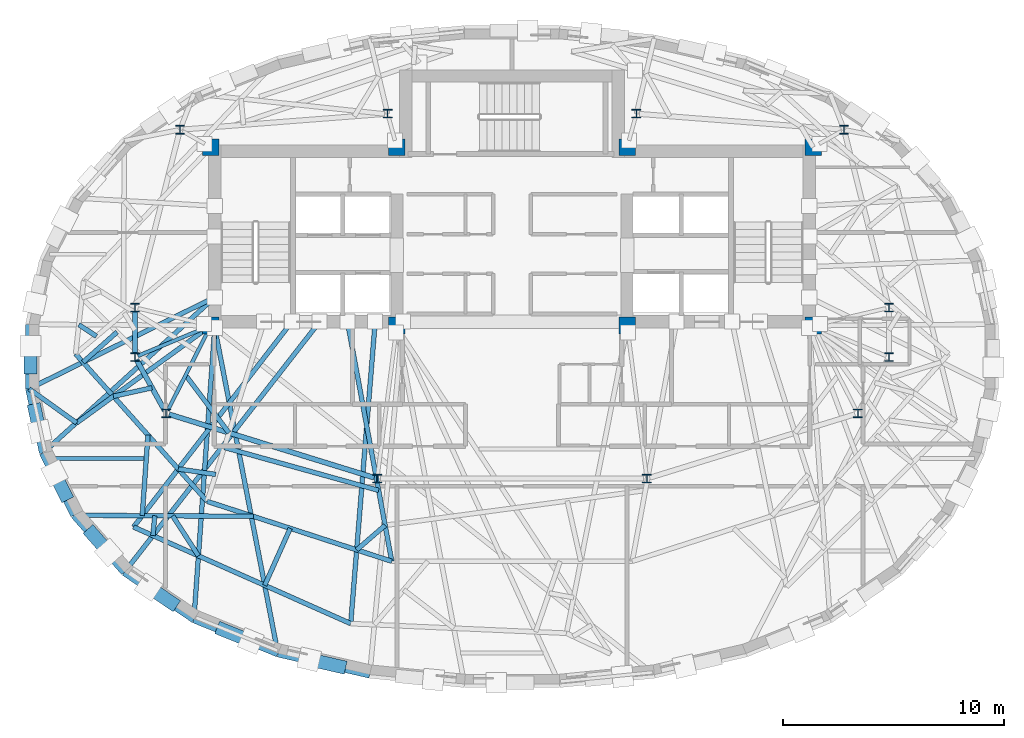
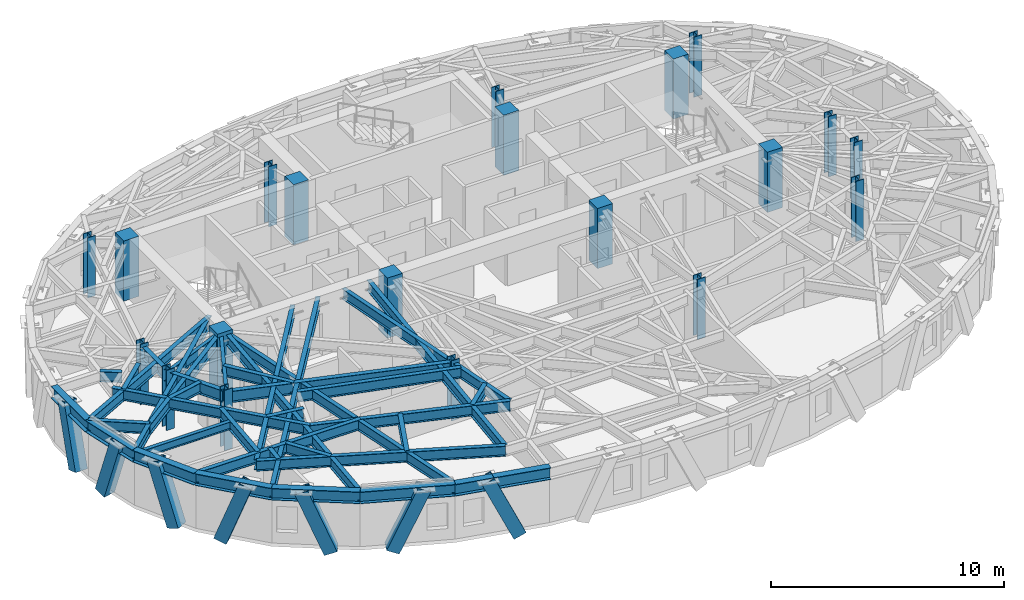
# One storey, part 1 of 12: 38 beams, 20 columns, 7 members.
"""IFC4 building model written with IfcOpenShell, lengths in metres."""

from ifc_helpers import new_model, si_unit, direction, frame, origin, origin_2d, place, context, subcontext, project, spatial, rectangle, hollow_rectangle, i_section, extrude, material, material_profile, profile_set, type_object, element, save


model = new_model("IFC4")

# Units and contexts
model_context = context("Model", 3, precision=1e-05, world=origin(), true_north=direction((0.0, 1.0)))
body_context = subcontext(model_context, "Body", "Model", "MODEL_VIEW")
ifc_project = project(units=[si_unit("LENGTHUNIT", "METRE"), si_unit("AREAUNIT", "SQUARE_METRE"), si_unit("VOLUMEUNIT", "CUBIC_METRE"), si_unit("PLANEANGLEUNIT", "RADIAN"), si_unit("MASSUNIT", "GRAM", prefix="KILO")], contexts=[model_context])

# Site, building, storey
site_placement = place(None, origin())
site = spatial("IfcSite", under=ifc_project, at=site_placement, CompositionType="ELEMENT")
building_placement = place(site_placement, origin())
building = spatial("IfcBuilding", under=site, at=building_placement, Name="Keldmark Tower", CompositionType="ELEMENT")
storey_placement = place(building_placement, frame((0.0, 0.0, 238.35009765625)))
storey = spatial("IfcBuildingStorey", under=building, at=storey_placement, Name="L67", CompositionType="ELEMENT", Elevation=238.35009765625)

# Columns
ifc_material_1 = material(Name="Concrete C50/60", Category="concrete")
ifc_material_profile_1 = material_profile(ifc_material_1, rectangle(XDim=0.75, YDim=0.75, at=origin_2d()), Name="RC750X750")
ifc_profile_set_1 = profile_set([ifc_material_profile_1], Name="Concrete C50/60")
column_type_1 = type_object("IfcColumnType", Name="Core Boundary Column RC750", PredefinedType="PILASTER", material=ifc_profile_set_1)
for number, where, z_axis, x_axis, name in (
    (1, (-13.60009765625, 1.39990234375, 0.0), (0.0, 0.0, 1.0), (1.0, 0.0, 0.0), "L67 Core Boundary Column CC-W1"),
    (2, (-13.60009765625, 9.449951171875, 0.0), (0.0, 0.0, 1.0), (1.0, 0.0, 0.0), "L67 Core Boundary Column CC-W2"),
    (3, (-5.199951171875, 1.39990234375, 0.0), (0.0, 0.0, 1.0), (1.0, 0.0, 0.0), "L67 Core Boundary Column CC-W3"),
    (4, (-5.199951171875, 9.449951171875, 0.0), (0.0, 0.0, 1.0), (1.0, 0.0, 0.0), "L67 Core Boundary Column CC-W4"),
    (5, (5.199951171875, 1.39990234375, 0.0), (0.0, 0.0, 1.0), (1.0, 0.0, 0.0), "L67 Core Boundary Column CC-E1"),
    (6, (5.199951171875, 9.449951171875, 0.0), (0.0, 0.0, 1.0), (1.0, 0.0, 0.0), "L67 Core Boundary Column CC-E2"),
    (7, (13.60009765625, 1.39990234375, 0.0), (0.0, 0.0, 1.0), (1.0, 0.0, 0.0), "L67 Core Boundary Column CC-E3"),
    (8, (13.60009765625, 9.449951171875, 0.0), (0.0, 0.0, 1.0), (1.0, 0.0, 0.0), "L67 Core Boundary Column CC-E4"),
):
    element("IfcColumn", number, at=place(storey_placement, frame(where, z_axis=z_axis, x_axis=x_axis)), inside=storey, type_object=column_type_1, Name=name, PredefinedType="PILASTER", context=body_context, shape_type="SweptSolid", body=[
        extrude(rectangle(XDim=0.75, YDim=0.75, at=origin_2d()), origin(), (0.0, 0.0, 1.0), 3.14990234375),
    ])
ifc_material_2 = material(Name="Steel ASTM A992 Grade 50", Category="steel")
ifc_material_profile_2 = material_profile(ifc_material_2, i_section(OverallWidth=0.39892578125, OverallDepth=0.386962890625, WebThickness=0.02099609375, FlangeThickness=0.033203125, at=origin_2d()), Name="W14X176")
ifc_profile_set_2 = profile_set([ifc_material_profile_2], Name="Steel ASTM A992 Grade 50")
column_type_2 = type_object("IfcColumnType", Name="Tower Gravity Column W14X176", PredefinedType="COLUMN", material=ifc_profile_set_2)
for number, where, z_axis, x_axis, name in (
    (9, (17.025634765625, 2.2080078125, 0.0), (0.0, 0.0, 1.0), (1.0, 0.0, 0.0), "L67 Tower Gravity Column TC-E1"),
    (10, (14.995849609375, 10.24365234375, 0.0), (0.0, 0.0, 1.0), (1.0, 0.0, 0.0), "L67 Tower Gravity Column TC-E4"),
    (11, (5.61865234375, 10.967041015625, 0.0), (0.0, 0.0, 1.0), (1.0, 0.0, 0.0), "L67 Tower Gravity Column TC-N2"),
    (12, (-5.61865234375, 10.967041015625, 0.0), (0.0, 0.0, 1.0), (1.0, 0.0, 0.0), "L67 Tower Gravity Column TC-N1"),
    (13, (-14.995849609375, 10.24365234375, 0.0), (0.0, 0.0, 1.0), (1.0, 0.0, 0.0), "L67 Tower Gravity Column TC-W4"),
    (14, (-17.025634765625, 2.2080078125, 0.0), (0.0, 0.0, 1.0), (1.0, 0.0, 0.0), "L67 Tower Gravity Column TC-W1"),
    (15, (-17.025634765625, -0.02392578125, 0.0), (0.0, 0.0, 1.0), (1.0, 0.0, 0.0), "L67 Tower Gravity Column TC-W5"),
    (16, (-15.6162109375, -2.5673828125, 0.0), (0.0, 0.0, 1.0), (1.0, 0.0, 0.0), "L67 Tower Gravity Column TC-W2"),
    (17, (-6.089599609375, -5.512939453125, 0.0), (0.0, 0.0, 1.0), (1.0, 0.0, 0.0), "L67 Tower Gravity Column TC-W3"),
    (18, (6.089599609375, -5.512939453125, 0.0), (0.0, 0.0, 1.0), (1.0, 0.0, 0.0), "L67 Tower Gravity Column TC-E3"),
    (19, (15.6162109375, -2.5673828125, 0.0), (0.0, 0.0, 1.0), (1.0, 0.0, 0.0), "L67 Tower Gravity Column TC-E2"),
    (20, (17.025634765625, -0.02392578125, 0.0), (0.0, 0.0, 1.0), (1.0, 0.0, 0.0), "L67 Tower Gravity Column TC-E5"),
):
    element("IfcColumn", number, at=place(storey_placement, frame(where, z_axis=z_axis, x_axis=x_axis)), inside=storey, type_object=column_type_2, Name=name, PredefinedType="COLUMN", context=body_context, shape_type="SweptSolid", body=[
        extrude(i_section(OverallWidth=0.39892578125, OverallDepth=0.386962890625, WebThickness=0.02099609375, FlangeThickness=0.033203125, at=origin_2d()), origin(), (0.0, 0.0, 1.0), 3.14990234375),
    ])

# Beam
ifc_material_3 = material(Name="Steel ASTM A992 Grade 50", Category="steel")
ifc_material_profile_3 = material_profile(ifc_material_3, i_section(OverallWidth=0.177978515625, OverallDepth=0.403076171875, WebThickness=0.007568359375, FlangeThickness=0.010986328125, at=origin_2d()), Name="W16X36")
ifc_profile_set_3 = profile_set([ifc_material_profile_3], Name="Steel ASTM A992 Grade 50")
beam_type_1 = type_object("IfcBeamType", Name="Composite Floor Joist W16X36", PredefinedType="JOIST", material=ifc_profile_set_3)
beam_1_placement = place(storey_placement, frame((-20.889404296875, -4.60009765625, 2.768310546875), z_axis=(1.0, 0.0, 0.0), x_axis=(0.0, 1.0, 0.0)))
element("IfcBeam", 21, at=beam_1_placement, inside=storey, type_object=beam_type_1, Name="L67 Composite Floor Joist J03", PredefinedType="JOIST", context=body_context, shape_type="SweptSolid", body=[
    extrude(i_section(OverallWidth=0.177978515625, OverallDepth=0.403076171875, WebThickness=0.007568359375, FlangeThickness=0.010986328125, at=origin_2d()), origin(), (0.0, 0.0, 1.0), 4.277099609375),
])

# Members
ifc_material_4 = material(Name="Steel ASTM A572 Grade 50", Category="steel")
ifc_material_profile_4 = material_profile(ifc_material_4, hollow_rectangle(XDim=0.60009765625, YDim=0.60009765625, WallThickness=0.034912109375, at=origin_2d()), Name="BOX600X600X35")
ifc_profile_set_4 = profile_set([ifc_material_profile_4], Name="Steel ASTM A572 Grade 50")
member_type = type_object("IfcMemberType", Name="Diagrid Zone 4 Brace BOX600X600X35", PredefinedType="BRACE", material=ifc_profile_set_4)
member_1_placement = place(storey_placement, frame((-21.74951171875, -0.491455078125, -0.260009765625), z_axis=(0.0, 0.298027501799, 0.954557283861), x_axis=(-1.0, 0.0, 0.0)))
element("IfcMember", 22, at=member_1_placement, inside=storey, type_object=member_type, Name="L67 Perimeter Diagrid Brace 08B", PredefinedType="BRACE", context=body_context, shape_type="SweptSolid", body=[
    extrude(hollow_rectangle(XDim=0.60009765625, YDim=0.60009765625, WallThickness=0.034912109375, at=origin_2d()), origin(), (0.0, 0.0, 1.0), 3.2578125),
])
member_2_placement = place(storey_placement, frame((-21.541259765625, -2.417724609375, -0.260009765625), z_axis=(0.063814390527, -0.296329192117, 0.952951590303), x_axis=(0.977588814613, 0.210523418042, 0.0)))
element("IfcMember", 23, at=member_2_placement, inside=storey, type_object=member_type, Name="L67 Perimeter Diagrid Brace 09A", PredefinedType="BRACE", context=body_context, shape_type="SweptSolid", body=[
    extrude(hollow_rectangle(XDim=0.60009765625, YDim=0.60009765625, WallThickness=0.034912109375, at=origin_2d()), origin(), (0.0, 0.0, 1.0), 3.263427734375),
])
member_3_placement = place(storey_placement, frame((-20.187255859375, -6.21337890625, -0.260009765625), z_axis=(-0.143211897869, 0.285382254663, 0.947653587041), x_axis=(-0.89377384963, -0.448517898993, 0.0)))
element("IfcMember", 24, at=member_3_placement, inside=storey, type_object=member_type, Name="L67 Perimeter Diagrid Brace 09B", PredefinedType="BRACE", context=body_context, shape_type="SweptSolid", body=[
    extrude(hollow_rectangle(XDim=0.60009765625, YDim=0.60009765625, WallThickness=0.034912109375, at=origin_2d()), origin(), (0.0, 0.0, 1.0), 3.28173828125),
])
member_4_placement = place(storey_placement, frame((-18.965087890625, -7.9970703125, -0.260009765625), z_axis=(0.228331892863, -0.258908767835, 0.938525863597), x_axis=(0.750006003606, 0.661431020255, 0.0)))
element("IfcMember", 25, at=member_4_placement, inside=storey, type_object=member_type, Name="L67 Perimeter Diagrid Brace 10A", PredefinedType="BRACE", context=body_context, shape_type="SweptSolid", body=[
    extrude(hollow_rectangle(XDim=0.60009765625, YDim=0.60009765625, WallThickness=0.034912109375, at=origin_2d()), origin(), (0.0, 0.0, 1.0), 3.3134765625),
])
member_5_placement = place(storey_placement, frame((-15.36572265625, -11.122314453125, -0.260009765625), z_axis=(-0.311701856625, 0.211340549545, 0.926378499694), x_axis=(-0.56118969734, -0.827687213626, 0.0)))
element("IfcMember", 26, at=member_5_placement, inside=storey, type_object=member_type, Name="L67 Perimeter Diagrid Brace 10B", PredefinedType="BRACE", context=body_context, shape_type="SweptSolid", body=[
    extrude(hollow_rectangle(XDim=0.60009765625, YDim=0.60009765625, WallThickness=0.034912109375, at=origin_2d()), origin(), (0.0, 0.0, 1.0), 3.35693359375),
])
member_6_placement = place(storey_placement, frame((-13.0625, -12.336669921875, -0.260009765625), z_axis=(0.37256512378, -0.151024372962, 0.915634680052), x_axis=(0.37567190483, 0.926752728575, 0.0)))
element("IfcMember", 27, at=member_6_placement, inside=storey, type_object=member_type, Name="L67 Perimeter Diagrid Brace 11A", PredefinedType="BRACE", context=body_context, shape_type="SweptSolid", body=[
    extrude(hollow_rectangle(XDim=0.60009765625, YDim=0.60009765625, WallThickness=0.034912109375, at=origin_2d()), origin(), (0.0, 0.0, 1.0), 3.396484375),
])
member_7_placement = place(storey_placement, frame((-7.779052734375, -13.993408203125, -0.260009765625), z_axis=(-0.404171074837, 0.093220794037, 0.909920670072), x_axis=(-0.224746304795, -0.974417312285, 0.0)))
element("IfcMember", 28, at=member_7_placement, inside=storey, type_object=member_type, Name="L67 Perimeter Diagrid Brace 11B", PredefinedType="BRACE", context=body_context, shape_type="SweptSolid", body=[
    extrude(hollow_rectangle(XDim=0.60009765625, YDim=0.60009765625, WallThickness=0.034912109375, at=origin_2d()), origin(), (0.0, 0.0, 1.0), 3.417724609375),
])

# Beams
ifc_material_5 = material(Name="Steel ASTM A992 Grade 50", Category="steel")
ifc_material_profile_5 = material_profile(ifc_material_5, i_section(OverallWidth=0.22802734375, OverallDepth=0.60302734375, WebThickness=0.010498046875, FlangeThickness=0.014892578125, at=origin_2d()), Name="W24X68")
ifc_profile_set_5 = profile_set([ifc_material_profile_5], Name="Steel ASTM A992 Grade 50")
beam_type_2 = type_object("IfcBeamType", Name="Primary Floor Girder W24X68", PredefinedType="BEAM", material=ifc_profile_set_5)
beam_2_placement = place(storey_placement, frame((-17.025634765625, 2.068115234375, 2.66845703125), z_axis=(0.0, -1.0, 0.0), x_axis=(1.0, 0.0, 0.0)))
element("IfcBeam", 29, at=beam_2_placement, inside=storey, type_object=beam_type_2, Name="L67 Floor Ring Girder FG-R06", PredefinedType="BEAM", context=body_context, shape_type="SweptSolid", body=[
    extrude(i_section(OverallWidth=0.22802734375, OverallDepth=0.60302734375, WebThickness=0.010498046875, FlangeThickness=0.014892578125, at=origin_2d()), origin(), (0.0, 0.0, 1.0), 1.9521484375),
])
beam_3_placement = place(storey_placement, frame((-16.957763671875, -0.146484375, 2.66845703125), z_axis=(0.484719680408, -0.874669555561, 0.0), x_axis=(0.874669555561, 0.484719680408, 0.0)))
element("IfcBeam", 30, at=beam_3_placement, inside=storey, type_object=beam_type_2, Name="L67 Floor Ring Girder FG-R07", PredefinedType="BEAM", context=body_context, shape_type="SweptSolid", body=[
    extrude(i_section(OverallWidth=0.22802734375, OverallDepth=0.60302734375, WebThickness=0.010498046875, FlangeThickness=0.014892578125, at=origin_2d()), origin(), (0.0, 0.0, 1.0), 2.627685546875),
])
beam_4_placement = place(storey_placement, frame((-15.482421875, -2.60888671875, 2.66845703125), z_axis=(0.955383255089, -0.295368982622, 0.0), x_axis=(0.295368982622, 0.955383255089, 0.0)))
element("IfcBeam", 31, at=beam_4_placement, inside=storey, type_object=beam_type_2, Name="L67 Floor Ring Girder FG-R08", PredefinedType="BEAM", context=body_context, shape_type="SweptSolid", body=[
    extrude(i_section(OverallWidth=0.22802734375, OverallDepth=0.60302734375, WebThickness=0.010498046875, FlangeThickness=0.014892578125, at=origin_2d()), origin(), (0.0, 0.0, 1.0), 9.69140625),
])
ifc_material_6 = material(Name="Steel ASTM A992 Grade 50", Category="steel")
ifc_material_profile_6 = material_profile(ifc_material_6, i_section(OverallWidth=0.166015625, OverallDepth=0.529052734375, WebThickness=0.009765625, FlangeThickness=0.013671875, at=origin_2d()), Name="W21X50")
ifc_profile_set_6 = profile_set([ifc_material_profile_6], Name="Steel ASTM A992 Grade 50")
beam_type_3 = type_object("IfcBeamType", Name="Radial Tie Girder W21X50", PredefinedType="BEAM", material=ifc_profile_set_6)
beam_5_placement = place(storey_placement, frame((-16.896240234375, 0.02978515625, 2.705322265625), z_axis=(0.923403331902, 0.383831065226, 0.0), x_axis=(-0.383831065226, 0.923403331902, 0.0)))
element("IfcBeam", 32, at=beam_5_placement, inside=storey, type_object=beam_type_3, Name="L67 Floor Radial Girder FG-C07", PredefinedType="BEAM", context=body_context, shape_type="SweptSolid", body=[
    extrude(i_section(OverallWidth=0.166015625, OverallDepth=0.529052734375, WebThickness=0.009765625, FlangeThickness=0.013671875, at=origin_2d()), origin(), (0.0, 0.0, 1.0), 3.249755859375),
])
beam_6_placement = place(storey_placement, frame((-15.552734375, -2.442626953125, 2.705322265625), z_axis=(0.453004410574, 0.89150827478, 0.0), x_axis=(-0.89150827478, 0.453004410574, 0.0)))
element("IfcBeam", 33, at=beam_6_placement, inside=storey, type_object=beam_type_3, Name="L67 Floor Radial Girder FG-C08", PredefinedType="BEAM", context=body_context, shape_type="SweptSolid", body=[
    extrude(i_section(OverallWidth=0.166015625, OverallDepth=0.529052734375, WebThickness=0.009765625, FlangeThickness=0.013671875, at=origin_2d()), origin(), (0.0, 0.0, 1.0), 3.990234375),
])
ifc_material_7 = material(Name="Steel ASTM A992 Grade 50", Category="steel")
ifc_material_profile_7 = material_profile(ifc_material_7, i_section(OverallWidth=0.2099609375, OverallDepth=0.537109375, WebThickness=0.010986328125, FlangeThickness=0.017333984375, at=origin_2d()), Name="W21X68")
ifc_profile_set_7 = profile_set([ifc_material_profile_7], Name="Steel ASTM A992 Grade 50")
beam_type_4 = type_object("IfcBeamType", Name="Radial Tie Girder W21X68", PredefinedType="BEAM", material=ifc_profile_set_7)
beam_7_placement = place(storey_placement, frame((-14.7392578125, -0.841796875, 2.701416015625), z_axis=(0.600792057917, -0.799405343455, 0.0), x_axis=(0.799405343455, 0.600792057917, 0.0)))
element("IfcBeam", 34, at=beam_7_placement, inside=storey, type_object=beam_type_4, Name="L67 Framing Pin Header PH-002", PredefinedType="BEAM", context=body_context, shape_type="SweptSolid", body=[
    extrude(i_section(OverallWidth=0.2099609375, OverallDepth=0.537109375, WebThickness=0.010986328125, FlangeThickness=0.017333984375, at=origin_2d()), origin(), (0.0, 0.0, 1.0), 3.253662109375),
])
beam_8_placement = place(storey_placement, frame((-12.994873046875, -4.106201171875, 2.701416015625), z_axis=(0.963443920859, -0.267910080735, 0.0), x_axis=(0.267910080735, 0.963443920859, 0.0)))
element("IfcBeam", 35, at=beam_8_placement, inside=storey, type_object=beam_type_4, Name="L67 Framing Pin Header PH-003", PredefinedType="BEAM", context=body_context, shape_type="SweptSolid", body=[
    extrude(i_section(OverallWidth=0.2099609375, OverallDepth=0.537109375, WebThickness=0.010986328125, FlangeThickness=0.017333984375, at=origin_2d()), origin(), (0.0, 0.0, 1.0), 7.236572265625),
])
beam_9_placement = place(storey_placement, frame((-7.43212890625, 1.574951171875, 2.701416015625), z_axis=(0.181862035839, -0.983324056413, 0.0), x_axis=(0.983324056413, 0.181862035839, 0.0)))
element("IfcBeam", 36, at=beam_9_placement, inside=storey, type_object=beam_type_4, Name="L67 Sub-Ring Step Girder STP1-M09", PredefinedType="BEAM", context=body_context, shape_type="SweptSolid", body=[
    extrude(i_section(OverallWidth=0.2099609375, OverallDepth=0.537109375, WebThickness=0.010986328125, FlangeThickness=0.017333984375, at=origin_2d()), origin(), (0.0, 0.0, 1.0), 11.004150390625),
])
beam_10_placement = place(storey_placement, frame((-19.709228515625, 0.118896484375, 2.701416015625), z_axis=(0.665753182489, -0.746172031107, 0.0), x_axis=(0.746172031107, 0.665753182489, 0.0)))
element("IfcBeam", 37, at=beam_10_placement, inside=storey, type_object=beam_type_4, Name="L67 Perimeter Collector Ring Beam CRG1-M07", PredefinedType="BEAM", context=body_context, shape_type="SweptSolid", body=[
    extrude(i_section(OverallWidth=0.2099609375, OverallDepth=0.537109375, WebThickness=0.010986328125, FlangeThickness=0.017333984375, at=origin_2d()), origin(), (0.0, 0.0, 1.0), 8.925537109375),
])
beam_11_placement = place(storey_placement, frame((-13.76708984375, -6.541015625, 2.701416015625), z_axis=(0.951190555886, -0.308604158094, 0.0), x_axis=(0.308604158094, 0.951190555886, 0.0)))
element("IfcBeam", 38, at=beam_11_placement, inside=storey, type_object=beam_type_4, Name="L67 Perimeter Collector Ring Beam CRG1-M08", PredefinedType="BEAM", context=body_context, shape_type="SweptSolid", body=[
    extrude(i_section(OverallWidth=0.2099609375, OverallDepth=0.537109375, WebThickness=0.010986328125, FlangeThickness=0.017333984375, at=origin_2d()), origin(), (0.0, 0.0, 1.0), 8.763916015625),
])
beam_12_placement = place(storey_placement, frame((-13.381103515625, -5.323486328125, 2.701416015625), z_axis=(-0.989621184917, 0.143700766747, 0.0), x_axis=(-0.143700766747, -0.989621184917, 0.0)))
element("IfcBeam", 39, at=beam_12_placement, inside=storey, type_object=beam_type_4, Name="L67 Framing Pin Header PH-008", PredefinedType="BEAM", context=body_context, shape_type="SweptSolid", body=[
    extrude(i_section(OverallWidth=0.2099609375, OverallDepth=0.537109375, WebThickness=0.010986328125, FlangeThickness=0.017333984375, at=origin_2d()), origin(), (0.0, 0.0, 1.0), 1.709228515625),
])
beam_13_placement = place(storey_placement, frame((-9.939208984375, 1.574951171875, 2.701416015625), z_axis=(-0.610875902906, -0.791726361345, 0.0), x_axis=(0.791726361345, -0.610875902906, 0.0)))
element("IfcBeam", 40, at=beam_13_placement, inside=storey, type_object=beam_type_4, Name="L67 Sub-Ring Step Girder STP2-M08", PredefinedType="BEAM", context=body_context, shape_type="SweptSolid", body=[
    extrude(i_section(OverallWidth=0.2099609375, OverallDepth=0.537109375, WebThickness=0.010986328125, FlangeThickness=0.017333984375, at=origin_2d()), origin(), (0.0, 0.0, 1.0), 11.70947265625),
])
beam_14_placement = place(storey_placement, frame((-5.731201171875, -7.622314453125, 2.701416015625), z_axis=(-0.756486336997, -0.654009496825, 0.0), x_axis=(0.654009496825, -0.756486336997, 0.0)))
element("IfcBeam", 41, at=beam_14_placement, inside=storey, type_object=beam_type_4, Name="L67 Framing Pin Header PH-009", PredefinedType="BEAM", context=body_context, shape_type="SweptSolid", body=[
    extrude(i_section(OverallWidth=0.2099609375, OverallDepth=0.537109375, WebThickness=0.010986328125, FlangeThickness=0.017333984375, at=origin_2d()), origin(), (0.0, 0.0, 1.0), 1.6962890625),
])
beam_15_placement = place(storey_placement, frame((-6.1787109375, 1.574951171875, 2.701416015625), z_axis=(-0.080804848006, -0.996729941628, 0.0), x_axis=(0.996729941628, -0.080804848006, 0.0)))
element("IfcBeam", 42, at=beam_15_placement, inside=storey, type_object=beam_type_4, Name="L67 Sub-Ring Step Girder STP2-M09", PredefinedType="BEAM", context=body_context, shape_type="SweptSolid", body=[
    extrude(i_section(OverallWidth=0.2099609375, OverallDepth=0.537109375, WebThickness=0.010986328125, FlangeThickness=0.017333984375, at=origin_2d()), origin(), (0.0, 0.0, 1.0), 13.6806640625),
])
beam_16_placement = place(storey_placement, frame((-17.09228515625, -7.69580078125, 2.701416015625), z_axis=(0.913601364177, -0.406611051712, 0.0), x_axis=(0.406611051712, 0.913601364177, 0.0)))
element("IfcBeam", 43, at=beam_16_placement, inside=storey, type_object=beam_type_4, Name="L67 Perimeter Collector Ring Beam CRG2-M08", PredefinedType="BEAM", context=body_context, shape_type="SweptSolid", body=[
    extrude(i_section(OverallWidth=0.2099609375, OverallDepth=0.537109375, WebThickness=0.010986328125, FlangeThickness=0.017333984375, at=origin_2d()), origin(), (0.0, 0.0, 1.0), 10.735595703125),
])
beam_17_placement = place(storey_placement, frame((-18.7666015625, 0.914794921875, 2.701416015625), z_axis=(-0.834169309851, 0.551508442821, 0.0), x_axis=(-0.551508442821, -0.834169309851, 0.0)))
element("IfcBeam", 44, at=beam_17_placement, inside=storey, type_object=beam_type_4, Name="L67 Framing Pin Header PH-020", PredefinedType="BEAM", context=body_context, shape_type="SweptSolid", body=[
    extrude(i_section(OverallWidth=0.2099609375, OverallDepth=0.537109375, WebThickness=0.010986328125, FlangeThickness=0.017333984375, at=origin_2d()), origin(), (0.0, 0.0, 1.0), 0.954345703125),
])
beam_18_placement = place(storey_placement, frame((-17.83837890625, 1.106689453125, 2.701416015625), z_axis=(-0.74788137502, -0.663832395186, 0.0), x_axis=(0.663832395186, -0.74788137502, 0.0)))
element("IfcBeam", 45, at=beam_18_placement, inside=storey, type_object=beam_type_4, Name="L67 Framing Pin Header PH-021", PredefinedType="BEAM", context=body_context, shape_type="SweptSolid", body=[
    extrude(i_section(OverallWidth=0.2099609375, OverallDepth=0.537109375, WebThickness=0.010986328125, FlangeThickness=0.017333984375, at=origin_2d()), origin(), (0.0, 0.0, 1.0), 2.0537109375),
])
beam_19_placement = place(storey_placement, frame((-13.425048828125, 2.675048828125, 2.701416015625), z_axis=(-0.897003254377, -0.442023937855, 0.0), x_axis=(0.442023937855, -0.897003254377, 0.0)))
element("IfcBeam", 46, at=beam_19_placement, inside=storey, type_object=beam_type_4, Name="L67 Perimeter Radial Tie Girder RT-17", PredefinedType="BEAM", context=body_context, shape_type="SweptSolid", body=[
    extrude(i_section(OverallWidth=0.2099609375, OverallDepth=0.537109375, WebThickness=0.010986328125, FlangeThickness=0.017333984375, at=origin_2d()), origin(), (0.0, 0.0, 1.0), 9.346923828125),
])
beam_20_placement = place(storey_placement, frame((-16.257080078125, -1.41064453125, 2.701416015625), z_axis=(-0.976631849806, -0.214919124195, 0.0), x_axis=(0.214919124195, -0.976631849806, 0.0)))
element("IfcBeam", 47, at=beam_20_placement, inside=storey, type_object=beam_type_4, Name="L67 Framing Pin Header PH-022", PredefinedType="BEAM", context=body_context, shape_type="SweptSolid", body=[
    extrude(i_section(OverallWidth=0.2099609375, OverallDepth=0.537109375, WebThickness=0.010986328125, FlangeThickness=0.017333984375, at=origin_2d()), origin(), (0.0, 0.0, 1.0), 1.786865234375),
])
beam_21_placement = place(storey_placement, frame((-13.60009765625, 1.39990234375, 2.701416015625), z_axis=(-0.809347410598, -0.587330204364, 0.0), x_axis=(0.587330204364, -0.809347410598, 0.0)))
element("IfcBeam", 48, at=beam_21_placement, inside=storey, type_object=beam_type_4, Name="L67 Intermediate Radial Step Girder RT-18M", PredefinedType="BEAM", context=body_context, shape_type="SweptSolid", body=[
    extrude(i_section(OverallWidth=0.2099609375, OverallDepth=0.537109375, WebThickness=0.010986328125, FlangeThickness=0.017333984375, at=origin_2d()), origin(), (0.0, 0.0, 1.0), 7.48974609375),
])
beam_22_placement = place(storey_placement, frame((-21.809326171875, -1.45654296875, 2.701416015625), z_axis=(0.812195844411, -0.583384873237, 0.0), x_axis=(0.583384873237, 0.812195844411, 0.0)))
element("IfcBeam", 49, at=beam_22_placement, inside=storey, type_object=beam_type_4, Name="L67 Local Collector Chord RT-18C", PredefinedType="BEAM", context=body_context, shape_type="SweptSolid", body=[
    extrude(i_section(OverallWidth=0.2099609375, OverallDepth=0.537109375, WebThickness=0.010986328125, FlangeThickness=0.017333984375, at=origin_2d()), origin(), (0.0, 0.0, 1.0), 2.64404296875),
])
beam_23_placement = place(storey_placement, frame((-13.425048828125, 2.675048828125, 2.701416015625), z_axis=(-0.740956137534, -0.671553424718, 0.0), x_axis=(0.671553424718, -0.740956137534, 0.0)))
element("IfcBeam", 50, at=beam_23_placement, inside=storey, type_object=beam_type_4, Name="L67 Perimeter Radial Tie Girder RT-18", PredefinedType="BEAM", context=body_context, shape_type="SweptSolid", body=[
    extrude(i_section(OverallWidth=0.2099609375, OverallDepth=0.537109375, WebThickness=0.010986328125, FlangeThickness=0.017333984375, at=origin_2d()), origin(), (0.0, 0.0, 1.0), 10.472412109375),
])
beam_24_placement = place(storey_placement, frame((-16.441162109375, -3.5439453125, 2.701416015625), z_axis=(-0.070672101234, -0.997499601056, 0.0), x_axis=(0.997499601056, -0.070672101234, 0.0)))
element("IfcBeam", 51, at=beam_24_placement, inside=storey, type_object=beam_type_4, Name="L67 Framing Pin Header PH-023", PredefinedType="BEAM", context=body_context, shape_type="SweptSolid", body=[
    extrude(i_section(OverallWidth=0.2099609375, OverallDepth=0.537109375, WebThickness=0.010986328125, FlangeThickness=0.017333984375, at=origin_2d()), origin(), (0.0, 0.0, 1.0), 3.6513671875),
])
beam_25_placement = place(storey_placement, frame((-11.68310546875, -7.217041015625, 2.701416015625), z_axis=(-0.999981057628, 0.00615502929, 0.0), x_axis=(-0.00615502929, -0.999981057628, 0.0)))
element("IfcBeam", 52, at=beam_25_placement, inside=storey, type_object=beam_type_4, Name="L67 Perimeter Radial Tie Girder RT-19", PredefinedType="BEAM", context=body_context, shape_type="SweptSolid", body=[
    extrude(i_section(OverallWidth=0.2099609375, OverallDepth=0.537109375, WebThickness=0.010986328125, FlangeThickness=0.017333984375, at=origin_2d()), origin(), (0.0, 0.0, 1.0), 8.091796875),
])
beam_26_placement = place(storey_placement, frame((-16.133544921875, -7.189697265625, 2.701416015625), z_axis=(-0.090315656941, -0.995913190048, 0.0), x_axis=(0.995913190048, -0.090315656941, 0.0)))
element("IfcBeam", 53, at=beam_26_placement, inside=storey, type_object=beam_type_4, Name="L67 Framing Pin Header PH-024", PredefinedType="BEAM", context=body_context, shape_type="SweptSolid", body=[
    extrude(i_section(OverallWidth=0.2099609375, OverallDepth=0.537109375, WebThickness=0.010986328125, FlangeThickness=0.017333984375, at=origin_2d()), origin(), (0.0, 0.0, 1.0), 0.900146484375),
])
beam_27_placement = place(storey_placement, frame((-8.685791015625, 1.574951171875, 2.701416015625), z_axis=(-0.614697840176, -0.78876267995, 0.0), x_axis=(0.78876267995, -0.614697840176, 0.0)))
element("IfcBeam", 54, at=beam_27_placement, inside=storey, type_object=beam_type_4, Name="L67 Perimeter Radial Tie Girder RT-20", PredefinedType="BEAM", context=body_context, shape_type="SweptSolid", body=[
    extrude(i_section(OverallWidth=0.2099609375, OverallDepth=0.537109375, WebThickness=0.010986328125, FlangeThickness=0.017333984375, at=origin_2d()), origin(), (0.0, 0.0, 1.0), 14.346923828125),
])
beam_28_placement = place(storey_placement, frame((-15.324462890625, -7.194580078125, 2.701416015625), z_axis=(0.541624604309, -0.840620477985, 0.0), x_axis=(0.840620477985, 0.541624604309, 0.0)))
element("IfcBeam", 55, at=beam_28_placement, inside=storey, type_object=beam_type_4, Name="L67 Framing Pin Header PH-025", PredefinedType="BEAM", context=body_context, shape_type="SweptSolid", body=[
    extrude(i_section(OverallWidth=0.2099609375, OverallDepth=0.537109375, WebThickness=0.010986328125, FlangeThickness=0.017333984375, at=origin_2d()), origin(), (0.0, 0.0, 1.0), 2.148193359375),
])
beam_29_placement = place(storey_placement, frame((-13.425048828125, 1.300048828125, 2.701416015625), z_axis=(-0.071261504304, -0.997457667274, 0.0), x_axis=(0.997457667274, -0.071261504304, 0.0)))
element("IfcBeam", 56, at=beam_29_placement, inside=storey, type_object=beam_type_4, Name="L67 Perimeter Radial Tie Girder RT-21", PredefinedType="BEAM", context=body_context, shape_type="SweptSolid", body=[
    extrude(i_section(OverallWidth=0.2099609375, OverallDepth=0.537109375, WebThickness=0.010986328125, FlangeThickness=0.017333984375, at=origin_2d()), origin(), (0.0, 0.0, 1.0), 13.20361328125),
])
beam_30_placement = place(storey_placement, frame((-10.015869140625, -7.758056640625, 2.701416015625), z_axis=(-0.40812120546, -0.912927752702, 0.0), x_axis=(0.912927752702, -0.40812120546, 0.0)))
element("IfcBeam", 57, at=beam_30_placement, inside=storey, type_object=beam_type_4, Name="L67 Framing Pin Header PH-026", PredefinedType="BEAM", context=body_context, shape_type="SweptSolid", body=[
    extrude(i_section(OverallWidth=0.2099609375, OverallDepth=0.537109375, WebThickness=0.010986328125, FlangeThickness=0.017333984375, at=origin_2d()), origin(), (0.0, 0.0, 1.0), 2.820556640625),
])
beam_31_placement = place(storey_placement, frame((-13.425048828125, 1.300048828125, 2.701416015625), z_axis=(0.1905543397, -0.981676649219, 0.0), x_axis=(0.981676649219, 0.1905543397, 0.0)))
element("IfcBeam", 58, at=beam_31_placement, inside=storey, type_object=beam_type_4, Name="L67 Perimeter Radial Tie Girder RT-22", PredefinedType="BEAM", context=body_context, shape_type="SweptSolid", body=[
    extrude(i_section(OverallWidth=0.2099609375, OverallDepth=0.537109375, WebThickness=0.010986328125, FlangeThickness=0.017333984375, at=origin_2d()), origin(), (0.0, 0.0, 1.0), 14.98388671875),
])
ifc_material_8 = material(Name="Steel ASTM A992 Grade 50", Category="steel")
ifc_material_profile_8 = material_profile(ifc_material_8, i_section(OverallWidth=0.326904296875, OverallDepth=0.6220703125, WebThickness=0.015380859375, FlangeThickness=0.0244140625, at=origin_2d()), Name="W24X131")
ifc_profile_set_8 = profile_set([ifc_material_profile_8], Name="Steel ASTM A992 Grade 50")
beam_type_5 = type_object("IfcBeamType", Name="Spandrel Ring Beam W24X131", PredefinedType="SPANDREL", material=ifc_profile_set_8)
beam_32_placement = place(storey_placement, frame((-21.809326171875, 1.45654296875, 2.658935546875), z_axis=(0.0, -1.0, 0.0), x_axis=(1.0, 0.0, 0.0)))
element("IfcBeam", 59, at=beam_32_placement, inside=storey, type_object=beam_type_5, Name="L67 Perimeter Spandrel Ring Beam SRB-16", PredefinedType="SPANDREL", context=body_context, shape_type="SweptSolid", body=[
    extrude(i_section(OverallWidth=0.326904296875, OverallDepth=0.6220703125, WebThickness=0.015380859375, FlangeThickness=0.0244140625, at=origin_2d()), origin(), (0.0, 0.0, 1.0), 2.9130859375),
])
beam_33_placement = place(storey_placement, frame((-21.809326171875, -1.45654296875, 2.658935546875), z_axis=(0.210523418042, -0.977588814613, 0.0), x_axis=(0.977588814613, 0.210523418042, 0.0)))
element("IfcBeam", 60, at=beam_33_placement, inside=storey, type_object=beam_type_5, Name="L67 Perimeter Spandrel Ring Beam SRB-17", PredefinedType="SPANDREL", context=body_context, shape_type="SweptSolid", body=[
    extrude(i_section(OverallWidth=0.326904296875, OverallDepth=0.6220703125, WebThickness=0.015380859375, FlangeThickness=0.0244140625, at=origin_2d()), origin(), (0.0, 0.0, 1.0), 2.967529296875),
])
beam_34_placement = place(storey_placement, frame((-21.1845703125, -4.357666015625, 2.658935546875), z_axis=(0.448517898993, -0.89377384963, 0.0), x_axis=(0.89377384963, 0.448517898993, 0.0)))
element("IfcBeam", 61, at=beam_34_placement, inside=storey, type_object=beam_type_5, Name="L67 Perimeter Spandrel Ring Beam SRB-18", PredefinedType="SPANDREL", context=body_context, shape_type="SweptSolid", body=[
    extrude(i_section(OverallWidth=0.326904296875, OverallDepth=0.6220703125, WebThickness=0.015380859375, FlangeThickness=0.0244140625, at=origin_2d()), origin(), (0.0, 0.0, 1.0), 3.1435546875),
])
beam_35_placement = place(storey_placement, frame((-19.774658203125, -7.167236328125, 2.658935546875), z_axis=(0.66136043846, -0.750068243855, 0.0), x_axis=(0.750068243855, 0.66136043846, 0.0)))
element("IfcBeam", 62, at=beam_35_placement, inside=storey, type_object=beam_type_5, Name="L67 Perimeter Spandrel Ring Beam SRB-19", PredefinedType="SPANDREL", context=body_context, shape_type="SweptSolid", body=[
    extrude(i_section(OverallWidth=0.326904296875, OverallDepth=0.6220703125, WebThickness=0.015380859375, FlangeThickness=0.0244140625, at=origin_2d()), origin(), (0.0, 0.0, 1.0), 3.431884765625),
])
beam_36_placement = place(storey_placement, frame((-17.5048828125, -9.741455078125, 2.658935546875), z_axis=(0.827637036896, -0.561263694851, 0.0), x_axis=(0.561263694851, 0.827637036896, 0.0)))
element("IfcBeam", 63, at=beam_36_placement, inside=storey, type_object=beam_type_5, Name="L67 Perimeter Spandrel Ring Beam SRB-20", PredefinedType="SPANDREL", context=body_context, shape_type="SweptSolid", body=[
    extrude(i_section(OverallWidth=0.326904296875, OverallDepth=0.6220703125, WebThickness=0.015380859375, FlangeThickness=0.0244140625, at=origin_2d()), origin(), (0.0, 0.0, 1.0), 3.792724609375),
])
beam_37_placement = place(storey_placement, frame((-14.365966796875, -11.8701171875, 2.658935546875), z_axis=(0.926731976866, -0.375723093586, 0.0), x_axis=(0.375723093586, 0.926731976866, 0.0)))
element("IfcBeam", 64, at=beam_37_placement, inside=storey, type_object=beam_type_5, Name="L67 Perimeter Spandrel Ring Beam SRB-21", PredefinedType="SPANDREL", context=body_context, shape_type="SweptSolid", body=[
    extrude(i_section(OverallWidth=0.326904296875, OverallDepth=0.6220703125, WebThickness=0.015380859375, FlangeThickness=0.0244140625, at=origin_2d()), origin(), (0.0, 0.0, 1.0), 4.09619140625),
])
beam_38_placement = place(storey_placement, frame((-10.56982421875, -13.4091796875, 2.658935546875), z_axis=(0.974411512007, -0.224771451185, 0.0), x_axis=(0.224771451185, 0.974411512007, 0.0)))
element("IfcBeam", 65, at=beam_38_placement, inside=storey, type_object=beam_type_5, Name="L67 Perimeter Spandrel Ring Beam SRB-22", PredefinedType="SPANDREL", context=body_context, shape_type="SweptSolid", body=[
    extrude(i_section(OverallWidth=0.326904296875, OverallDepth=0.6220703125, WebThickness=0.015380859375, FlangeThickness=0.0244140625, at=origin_2d()), origin(), (0.0, 0.0, 1.0), 4.25244140625),
])

save(model, "model.ifc")
